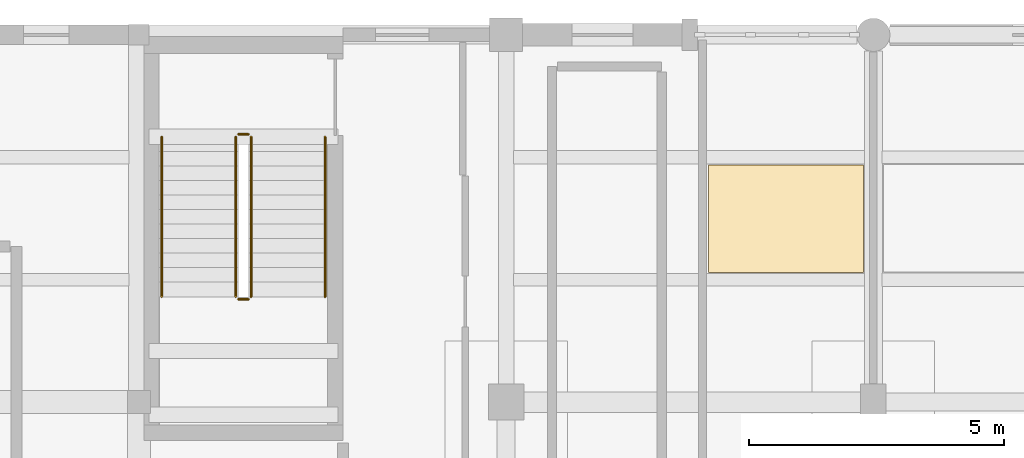
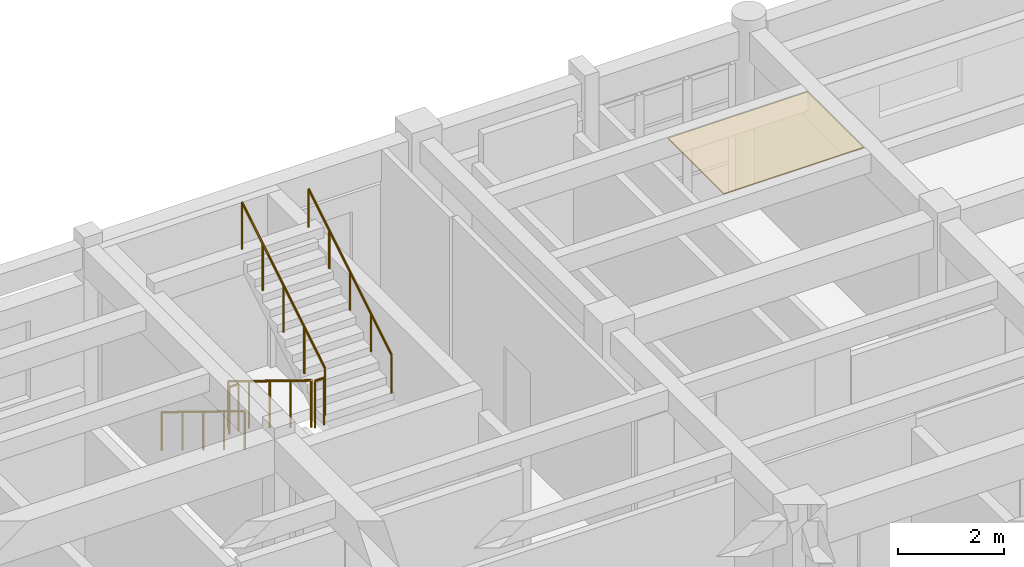
# One storey, part 97 of 100: 6 railings, 1 covering.
"""IFC4 building model written with IfcOpenShell, lengths in metres."""

from ifc_helpers import new_model, si_unit, direction, frame, origin, origin_2d, place, context, subcontext, project, spatial, polyline, circle, outline, extrude, material, layer, layer_set, type_object, element, save


model = new_model("IFC4")

# Units and contexts
model_context = context("Model", 3, precision=1e-05, world=origin(), true_north=direction((0.0, 1.0)))
body_context = subcontext(model_context, "Body", "Model", "MODEL_VIEW")
ifc_project = project(units=[si_unit("LENGTHUNIT", "METRE"), si_unit("AREAUNIT", "SQUARE_METRE"), si_unit("VOLUMEUNIT", "CUBIC_METRE"), si_unit("PLANEANGLEUNIT", "RADIAN"), si_unit("MASSUNIT", "GRAM", prefix="KILO")], contexts=[model_context])

# Site, building, storey
site_placement = place(None, origin())
site = spatial("IfcSite", under=ifc_project, at=site_placement, CompositionType="ELEMENT")
building_placement = place(site_placement, origin())
building = spatial("IfcBuilding", under=site, at=building_placement, Name="Steenspoor Specialist Clinic", CompositionType="ELEMENT")
storey_placement = place(building_placement, frame((0.0, 0.0, 9.0)))
storey = spatial("IfcBuildingStorey", under=building, at=storey_placement, Name="L02", CompositionType="ELEMENT", Elevation=9.0)

# Covering
ifc_material_1 = material(Name="Washable acoustic mineral ceiling board", Category="gypsum")
ifc_layer = layer(ifc_material_1, 0.02490234375)
ifc_layer_set = layer_set([ifc_layer], Name="Washable acoustic mineral ceiling board")
covering_type = type_object("IfcCoveringType", Name="COV-CEIL-ACOUSTIC", PredefinedType="CEILING", material=ifc_layer_set)
covering_placement = place(storey_placement, frame((0.0, 0.0, 3.925048828125)))
element("IfcCovering", 1, at=covering_placement, inside=storey, type_object=covering_type, Name="Acoustic Clinical Ceiling 165", PredefinedType="CEILING", context=body_context, shape_type="SweptSolid", body=[
    extrude(outline(polyline([(136.364990234375, 105.800048828125), (139.405029296875, 105.800048828125), (139.405029296875, 103.68994140625), (136.364990234375, 103.68994140625), (136.364990234375, 105.800048828125)])), origin(), (0.0, 0.0, 1.0), 0.02490234375),
])

# Railings
ifc_material_2 = material(Name="Painted architectural steel balustrade", Category="steel")
railing_type_1 = type_object("IfcRailingType", Name="RAIL-GUARD-1100", PredefinedType="GUARDRAIL", material=ifc_material_2)
railing_1_placement = place(storey_placement, frame((127.10009765625, 106.35009765625, 0.175048828125)))
element("IfcRailing", 2, at=railing_1_placement, inside=storey, type_object=railing_type_1, Name="L02 ST-V6A stair guard 1", PredefinedType="GUARDRAIL", context=body_context, shape_type="SweptSolid", body=[
    extrude(circle(Radius=0.02392578125, at=origin_2d()), frame((0.0, 0.0, 1.076171875), z_axis=(0.0, -0.852166034122, 0.523271488128), x_axis=(1.0, 0.0, 0.0)), (0.0, 0.0, 1.0), 3.678955078125),
    extrude(circle(Radius=0.02099609375, at=origin_2d()), origin(), (0.0, 0.0, 1.0), 1.052001953125),
    extrude(circle(Radius=0.02099609375, at=origin_2d()), frame((0.0, -0.78369140625, 0.481201171875)), (0.0, 0.0, 1.0), 1.052001953125),
    extrude(circle(Radius=0.02099609375, at=origin_2d()), frame((0.0, -1.5673828125, 0.96240234375)), (0.0, 0.0, 1.0), 1.052001953125),
    extrude(circle(Radius=0.02099609375, at=origin_2d()), frame((0.0, -2.351318359375, 1.44384765625)), (0.0, 0.0, 1.0), 1.052001953125),
    extrude(circle(Radius=0.02099609375, at=origin_2d()), frame((0.0, -3.135009765625, 1.925048828125)), (0.0, 0.0, 1.0), 1.052001953125),
])
railing_2_placement = place(storey_placement, frame((127.14990234375, 103.1650390625, 2.10009765625)))
element("IfcRailing", 3, at=railing_2_placement, inside=storey, type_object=railing_type_1, Name="L02 ST-V6A stair guard 2", PredefinedType="GUARDRAIL", context=body_context, shape_type="SweptSolid", body=[
    extrude(circle(Radius=0.02392578125, at=origin_2d()), frame((0.0, 0.0, 1.076171875), z_axis=(1.0, 0.0, 0.0), x_axis=(0.0, 1.0, 0.0)), (0.0, 0.0, 1.0), 0.2001953125),
    extrude(circle(Radius=0.02099609375, at=origin_2d()), origin(), (0.0, 0.0, 1.0), 1.052001953125),
    extrude(circle(Radius=0.02099609375, at=origin_2d()), frame((0.2001953125, 0.0, 0.0)), (0.0, 0.0, 1.0), 1.052001953125),
])
railing_3_placement = place(storey_placement, frame((127.39990234375, 103.215087890625, 2.27490234375)))
element("IfcRailing", 4, at=railing_3_placement, inside=storey, type_object=railing_type_1, Name="L02 ST-V6A stair guard 3", PredefinedType="GUARDRAIL", context=body_context, shape_type="SweptSolid", body=[
    extrude(circle(Radius=0.02392578125, at=origin_2d()), frame((0.0, 0.0, 1.076171875), z_axis=(0.0, 0.852166034122, 0.523271488128), x_axis=(-1.0, 0.0, 0.0)), (0.0, 0.0, 1.0), 3.678955078125),
    extrude(circle(Radius=0.02099609375, at=origin_2d()), origin(), (0.0, 0.0, 1.0), 1.052001953125),
    extrude(circle(Radius=0.02099609375, at=origin_2d()), frame((0.0, 0.78369140625, 0.481201171875)), (0.0, 0.0, 1.0), 1.052001953125),
    extrude(circle(Radius=0.02099609375, at=origin_2d()), frame((0.0, 1.5673828125, 0.96240234375)), (0.0, 0.0, 1.0), 1.052001953125),
    extrude(circle(Radius=0.02099609375, at=origin_2d()), frame((0.0, 2.351318359375, 1.44384765625)), (0.0, 0.0, 1.0), 1.052001953125),
    extrude(circle(Radius=0.02099609375, at=origin_2d()), frame((0.0, 3.135009765625, 1.925048828125)), (0.0, 0.0, 1.0), 1.052001953125),
])
railing_4_placement = place(storey_placement, frame((127.14990234375, 106.39990234375, 0.0)))
element("IfcRailing", 5, at=railing_4_placement, inside=storey, type_object=railing_type_1, Name="L02 ST-V6A stair guard 4", PredefinedType="GUARDRAIL", context=body_context, shape_type="SweptSolid", body=[
    extrude(circle(Radius=0.02392578125, at=origin_2d()), frame((0.0, 0.0, 1.076171875), z_axis=(1.0, 0.0, 0.0), x_axis=(0.0, 1.0, 0.0)), (0.0, 0.0, 1.0), 0.2001953125),
    extrude(circle(Radius=0.02099609375, at=origin_2d()), origin(), (0.0, 0.0, 1.0), 1.052001953125),
    extrude(circle(Radius=0.02099609375, at=origin_2d()), frame((0.2001953125, 0.0, 0.0)), (0.0, 0.0, 1.0), 1.052001953125),
])
ifc_material_3 = material(Name="Brushed stainless steel clinical handrail", Category="steel")
railing_type_2 = type_object("IfcRailingType", Name="RAIL-HAND-900", PredefinedType="HANDRAIL", material=ifc_material_3)
railing_5_placement = place(storey_placement, frame((125.64990234375, 106.35009765625, 0.175048828125)))
element("IfcRailing", 6, at=railing_5_placement, inside=storey, type_object=railing_type_2, Name="L02 ST-V6A stair handrail 1", PredefinedType="HANDRAIL", context=body_context, shape_type="SweptSolid", body=[
    extrude(circle(Radius=0.02392578125, at=origin_2d()), frame((0.0, 0.0, 0.8759765625), z_axis=(0.0, -0.852166034122, 0.523271488128), x_axis=(1.0, 0.0, 0.0)), (0.0, 0.0, 1.0), 3.678955078125),
    extrude(circle(Radius=0.02099609375, at=origin_2d()), origin(), (0.0, 0.0, 1.0), 0.851806640625),
    extrude(circle(Radius=0.02099609375, at=origin_2d()), frame((0.0, -0.78369140625, 0.481201171875)), (0.0, 0.0, 1.0), 0.851806640625),
    extrude(circle(Radius=0.02099609375, at=origin_2d()), frame((0.0, -1.5673828125, 0.96240234375)), (0.0, 0.0, 1.0), 0.851806640625),
    extrude(circle(Radius=0.02099609375, at=origin_2d()), frame((0.0, -2.351318359375, 1.44384765625)), (0.0, 0.0, 1.0), 0.851806640625),
    extrude(circle(Radius=0.02099609375, at=origin_2d()), frame((0.0, -3.135009765625, 1.925048828125)), (0.0, 0.0, 1.0), 0.851806640625),
])
railing_6_placement = place(storey_placement, frame((128.85009765625, 103.215087890625, 2.27490234375)))
element("IfcRailing", 7, at=railing_6_placement, inside=storey, type_object=railing_type_2, Name="L02 ST-V6A stair handrail 2", PredefinedType="HANDRAIL", context=body_context, shape_type="SweptSolid", body=[
    extrude(circle(Radius=0.02392578125, at=origin_2d()), frame((0.0, 0.0, 0.8759765625), z_axis=(0.0, 0.852166034122, 0.523271488128), x_axis=(-1.0, 0.0, 0.0)), (0.0, 0.0, 1.0), 3.678955078125),
    extrude(circle(Radius=0.02099609375, at=origin_2d()), origin(), (0.0, 0.0, 1.0), 0.851806640625),
    extrude(circle(Radius=0.02099609375, at=origin_2d()), frame((0.0, 0.78369140625, 0.481201171875)), (0.0, 0.0, 1.0), 0.851806640625),
    extrude(circle(Radius=0.02099609375, at=origin_2d()), frame((0.0, 1.5673828125, 0.96240234375)), (0.0, 0.0, 1.0), 0.851806640625),
    extrude(circle(Radius=0.02099609375, at=origin_2d()), frame((0.0, 2.351318359375, 1.44384765625)), (0.0, 0.0, 1.0), 0.851806640625),
    extrude(circle(Radius=0.02099609375, at=origin_2d()), frame((0.0, 3.135009765625, 1.925048828125)), (0.0, 0.0, 1.0), 0.851806640625),
])

save(model, "model.ifc")
